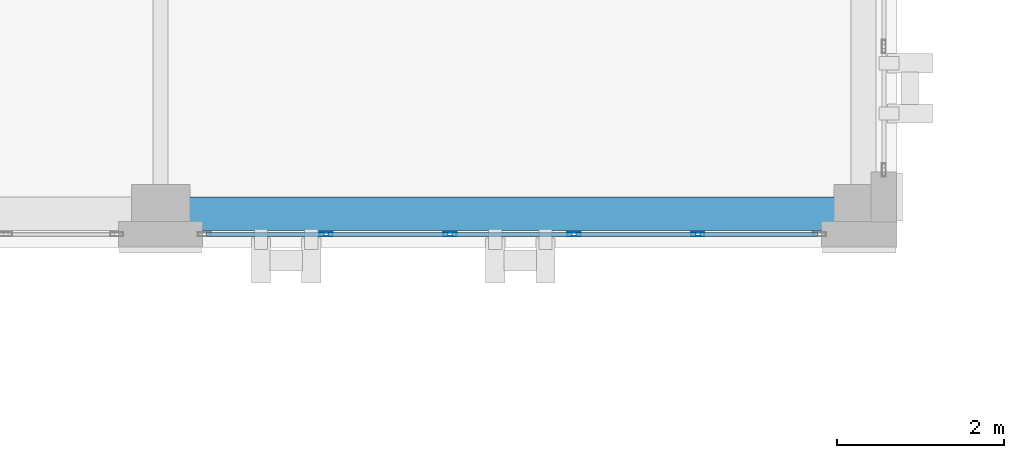
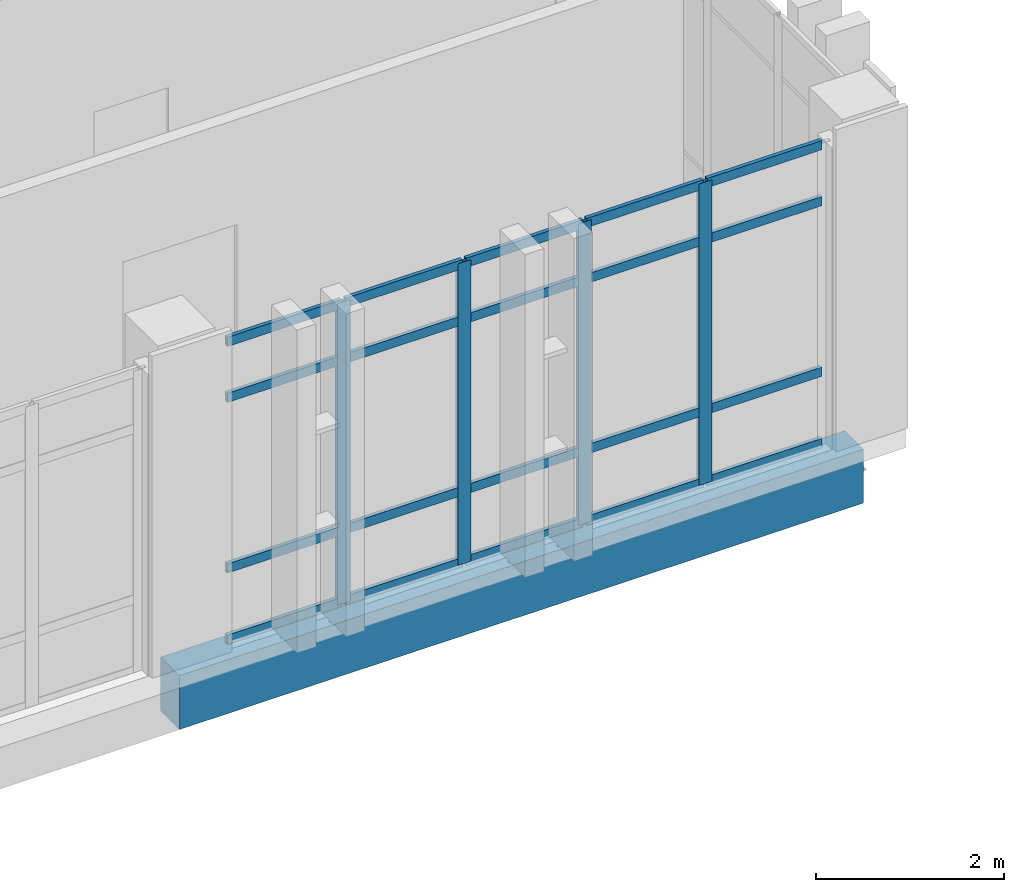
# One storey, part 88 of 193: 24 members, 1 beam, 1 element without a shape of its own.
"""IFC4 building model written with IfcOpenShell, lengths in metres."""

from ifc_helpers import new_model, si_unit, direction, frame, origin, origin_2d, place, context, subcontext, project, spatial, rectangle, hollow_rectangle, extrude, material, layer, layer_set, material_profile, profile_set, type_object, element, aggregate, save


model = new_model("IFC4")

# Units and contexts
model_context = context("Model", 3, precision=1e-05, world=origin(), true_north=direction((0.0, 1.0)))
body_context = subcontext(model_context, "Body", "Model", "MODEL_VIEW")
ifc_project = project(units=[si_unit("LENGTHUNIT", "METRE"), si_unit("AREAUNIT", "SQUARE_METRE"), si_unit("VOLUMEUNIT", "CUBIC_METRE"), si_unit("PLANEANGLEUNIT", "RADIAN"), si_unit("MASSUNIT", "GRAM", prefix="KILO")], contexts=[model_context])

# Site, building, storey
site_placement = place(None, origin())
site = spatial("IfcSite", under=ifc_project, at=site_placement, CompositionType="ELEMENT")
building_placement = place(site_placement, origin())
building = spatial("IfcBuilding", under=site, at=building_placement, Name="Qalavern Law Courts", CompositionType="ELEMENT")
storey_placement = place(building_placement, frame((0.0, 0.0, 10.199951171875)))
storey = spatial("IfcBuildingStorey", under=building, at=storey_placement, Name="L02", CompositionType="ELEMENT", Elevation=10.199951171875)

# Curtain wall, members
ifc_material_1 = material(Name="Anodised aluminium and insulated glazing", Category="aluminium")
ifc_layer = layer(ifc_material_1, 0.166015625)
ifc_layer_set = layer_set([ifc_layer], Name="Anodised aluminium and insulated glazing")
curtain_wall_type = type_object("IfcCurtainWallType", Name="ENV-CW-LIB", PredefinedType="USERDEFINED", material=ifc_layer_set)
curtain_wall_placement = place(storey_placement, origin())
curtain_wall = element("IfcCurtainWall", 1, at=curtain_wall_placement, inside=storey, type_object=curtain_wall_type, Name="V5 unitised curtain wall L02 south 6", ObjectType="UNITISED CURTAIN WALL", PredefinedType="USERDEFINED")
ifc_material_2 = material(Name="Anodised aluminium", Category="aluminium")
ifc_material_profile_1 = material_profile(ifc_material_2, hollow_rectangle(XDim=0.048095703125, YDim=0.159912109375, WallThickness=0.00390625, at=origin_2d()), Name="ALU MULLION 48x160")
ifc_profile_set_1 = profile_set([ifc_material_profile_1], Name="Anodised aluminium")
member_type_1 = type_object("IfcMemberType", Name="ENV-CWM-48x160", PredefinedType="MULLION", material=ifc_profile_set_1)
member_1_placement = place(storey_placement, frame((59.97998046875, 96.35498046875, 0.0), z_axis=(0.0, 0.0, 1.0), x_axis=(0.0, 1.0, 0.0)))
member_1 = element("IfcMember", 2, at=member_1_placement, type_object=member_type_1, Name="CW-05 mullion 2", PredefinedType="MULLION", context=body_context, shape_type="SweptSolid", body=[
    extrude(hollow_rectangle(XDim=0.048095703125, YDim=0.159912109375, WallThickness=0.00390625, at=origin_2d()), origin(), (0.0, 0.0, 1.0), 3.9150390625),
])
member_2_placement = place(storey_placement, frame((61.4599609375, 96.35498046875, 0.0), z_axis=(0.0, 0.0, 1.0), x_axis=(0.0, 1.0, 0.0)))
member_2 = element("IfcMember", 3, at=member_2_placement, type_object=member_type_1, Name="CW-05 mullion 3", PredefinedType="MULLION", context=body_context, shape_type="SweptSolid", body=[
    extrude(hollow_rectangle(XDim=0.048095703125, YDim=0.159912109375, WallThickness=0.00390625, at=origin_2d()), origin(), (0.0, 0.0, 1.0), 3.9150390625),
])
member_3_placement = place(storey_placement, frame((62.93994140625, 96.35498046875, 0.0), z_axis=(0.0, 0.0, 1.0), x_axis=(0.0, 1.0, 0.0)))
member_3 = element("IfcMember", 4, at=member_3_placement, type_object=member_type_1, Name="CW-05 mullion 4", PredefinedType="MULLION", context=body_context, shape_type="SweptSolid", body=[
    extrude(hollow_rectangle(XDim=0.048095703125, YDim=0.159912109375, WallThickness=0.00390625, at=origin_2d()), origin(), (0.0, 0.0, 1.0), 3.9150390625),
])
member_4_placement = place(storey_placement, frame((64.419921875, 96.35498046875, 0.0), z_axis=(0.0, 0.0, 1.0), x_axis=(0.0, 1.0, 0.0)))
member_4 = element("IfcMember", 5, at=member_4_placement, type_object=member_type_1, Name="CW-05 mullion 5", PredefinedType="MULLION", context=body_context, shape_type="SweptSolid", body=[
    extrude(hollow_rectangle(XDim=0.048095703125, YDim=0.159912109375, WallThickness=0.00390625, at=origin_2d()), origin(), (0.0, 0.0, 1.0), 3.9150390625),
])
ifc_material_profile_2 = material_profile(ifc_material_2, hollow_rectangle(XDim=0.048095703125, YDim=0.1201171875, WallThickness=0.00390625, at=origin_2d()), Name="ALU TRANSOM 48x120")
ifc_profile_set_2 = profile_set([ifc_material_profile_2], Name="Anodised aluminium")
member_type_2 = type_object("IfcMemberType", Name="ENV-CWT-48x120", PredefinedType="USERDEFINED", material=ifc_profile_set_2)
member_5_placement = place(storey_placement, frame((58.548095703125, 96.35498046875, 0.024169921875), z_axis=(1.0, 0.0, 0.0), x_axis=(0.0, 1.0, 0.0)))
member_5 = element("IfcMember", 6, at=member_5_placement, type_object=member_type_2, Name="CW-05 transom 1.1", ObjectType="TRANSOM", PredefinedType="USERDEFINED", context=body_context, shape_type="SweptSolid", body=[
    extrude(hollow_rectangle(XDim=0.048095703125, YDim=0.1201171875, WallThickness=0.00390625, at=origin_2d()), origin(), (0.0, 0.0, 1.0), 1.407958984375),
])
member_6_placement = place(storey_placement, frame((58.548095703125, 96.35498046875, 0.949951171875), z_axis=(1.0, 0.0, 0.0), x_axis=(0.0, 1.0, 0.0)))
member_6 = element("IfcMember", 7, at=member_6_placement, type_object=member_type_2, Name="CW-05 transom 1.2", ObjectType="TRANSOM", PredefinedType="USERDEFINED", context=body_context, shape_type="SweptSolid", body=[
    extrude(hollow_rectangle(XDim=0.048095703125, YDim=0.1201171875, WallThickness=0.00390625, at=origin_2d()), origin(), (0.0, 0.0, 1.0), 1.407958984375),
])
member_7_placement = place(storey_placement, frame((58.548095703125, 96.35498046875, 3.1650390625), z_axis=(1.0, 0.0, 0.0), x_axis=(0.0, 1.0, 0.0)))
member_7 = element("IfcMember", 8, at=member_7_placement, type_object=member_type_2, Name="CW-05 transom 1.3", ObjectType="TRANSOM", PredefinedType="USERDEFINED", context=body_context, shape_type="SweptSolid", body=[
    extrude(hollow_rectangle(XDim=0.048095703125, YDim=0.1201171875, WallThickness=0.00390625, at=origin_2d()), origin(), (0.0, 0.0, 1.0), 1.407958984375),
])
member_8_placement = place(storey_placement, frame((58.548095703125, 96.35498046875, 3.89111328125), z_axis=(1.0, 0.0, 0.0), x_axis=(0.0, 1.0, 0.0)))
member_8 = element("IfcMember", 9, at=member_8_placement, type_object=member_type_2, Name="CW-05 transom 1.4", ObjectType="TRANSOM", PredefinedType="USERDEFINED", context=body_context, shape_type="SweptSolid", body=[
    extrude(hollow_rectangle(XDim=0.048095703125, YDim=0.1201171875, WallThickness=0.00390625, at=origin_2d()), origin(), (0.0, 0.0, 1.0), 1.407958984375),
])
member_9_placement = place(storey_placement, frame((60.00390625, 96.35498046875, 0.024169921875), z_axis=(1.0, 0.0, 0.0), x_axis=(0.0, 1.0, 0.0)))
member_9 = element("IfcMember", 10, at=member_9_placement, type_object=member_type_2, Name="CW-05 transom 2.1", ObjectType="TRANSOM", PredefinedType="USERDEFINED", context=body_context, shape_type="SweptSolid", body=[
    extrude(hollow_rectangle(XDim=0.048095703125, YDim=0.1201171875, WallThickness=0.00390625, at=origin_2d()), origin(), (0.0, 0.0, 1.0), 1.43212890625),
])
member_10_placement = place(storey_placement, frame((60.00390625, 96.35498046875, 0.949951171875), z_axis=(1.0, 0.0, 0.0), x_axis=(0.0, 1.0, 0.0)))
member_10 = element("IfcMember", 11, at=member_10_placement, type_object=member_type_2, Name="CW-05 transom 2.2", ObjectType="TRANSOM", PredefinedType="USERDEFINED", context=body_context, shape_type="SweptSolid", body=[
    extrude(hollow_rectangle(XDim=0.048095703125, YDim=0.1201171875, WallThickness=0.00390625, at=origin_2d()), origin(), (0.0, 0.0, 1.0), 1.43212890625),
])
member_11_placement = place(storey_placement, frame((60.00390625, 96.35498046875, 3.1650390625), z_axis=(1.0, 0.0, 0.0), x_axis=(0.0, 1.0, 0.0)))
member_11 = element("IfcMember", 12, at=member_11_placement, type_object=member_type_2, Name="CW-05 transom 2.3", ObjectType="TRANSOM", PredefinedType="USERDEFINED", context=body_context, shape_type="SweptSolid", body=[
    extrude(hollow_rectangle(XDim=0.048095703125, YDim=0.1201171875, WallThickness=0.00390625, at=origin_2d()), origin(), (0.0, 0.0, 1.0), 1.43212890625),
])
member_12_placement = place(storey_placement, frame((60.00390625, 96.35498046875, 3.89111328125), z_axis=(1.0, 0.0, 0.0), x_axis=(0.0, 1.0, 0.0)))
member_12 = element("IfcMember", 13, at=member_12_placement, type_object=member_type_2, Name="CW-05 transom 2.4", ObjectType="TRANSOM", PredefinedType="USERDEFINED", context=body_context, shape_type="SweptSolid", body=[
    extrude(hollow_rectangle(XDim=0.048095703125, YDim=0.1201171875, WallThickness=0.00390625, at=origin_2d()), origin(), (0.0, 0.0, 1.0), 1.43212890625),
])
member_13_placement = place(storey_placement, frame((61.48388671875, 96.35498046875, 0.024169921875), z_axis=(1.0, 0.0, 0.0), x_axis=(0.0, 1.0, 0.0)))
member_13 = element("IfcMember", 14, at=member_13_placement, type_object=member_type_2, Name="CW-05 transom 3.1", ObjectType="TRANSOM", PredefinedType="USERDEFINED", context=body_context, shape_type="SweptSolid", body=[
    extrude(hollow_rectangle(XDim=0.048095703125, YDim=0.1201171875, WallThickness=0.00390625, at=origin_2d()), origin(), (0.0, 0.0, 1.0), 1.43212890625),
])
member_14_placement = place(storey_placement, frame((61.48388671875, 96.35498046875, 0.949951171875), z_axis=(1.0, 0.0, 0.0), x_axis=(0.0, 1.0, 0.0)))
member_14 = element("IfcMember", 15, at=member_14_placement, type_object=member_type_2, Name="CW-05 transom 3.2", ObjectType="TRANSOM", PredefinedType="USERDEFINED", context=body_context, shape_type="SweptSolid", body=[
    extrude(hollow_rectangle(XDim=0.048095703125, YDim=0.1201171875, WallThickness=0.00390625, at=origin_2d()), origin(), (0.0, 0.0, 1.0), 1.43212890625),
])
member_15_placement = place(storey_placement, frame((61.48388671875, 96.35498046875, 3.1650390625), z_axis=(1.0, 0.0, 0.0), x_axis=(0.0, 1.0, 0.0)))
member_15 = element("IfcMember", 16, at=member_15_placement, type_object=member_type_2, Name="CW-05 transom 3.3", ObjectType="TRANSOM", PredefinedType="USERDEFINED", context=body_context, shape_type="SweptSolid", body=[
    extrude(hollow_rectangle(XDim=0.048095703125, YDim=0.1201171875, WallThickness=0.00390625, at=origin_2d()), origin(), (0.0, 0.0, 1.0), 1.43212890625),
])
member_16_placement = place(storey_placement, frame((61.48388671875, 96.35498046875, 3.89111328125), z_axis=(1.0, 0.0, 0.0), x_axis=(0.0, 1.0, 0.0)))
member_16 = element("IfcMember", 17, at=member_16_placement, type_object=member_type_2, Name="CW-05 transom 3.4", ObjectType="TRANSOM", PredefinedType="USERDEFINED", context=body_context, shape_type="SweptSolid", body=[
    extrude(hollow_rectangle(XDim=0.048095703125, YDim=0.1201171875, WallThickness=0.00390625, at=origin_2d()), origin(), (0.0, 0.0, 1.0), 1.43212890625),
])
member_17_placement = place(storey_placement, frame((62.964111328125, 96.35498046875, 0.024169921875), z_axis=(1.0, 0.0, 0.0), x_axis=(0.0, 1.0, 0.0)))
member_17 = element("IfcMember", 18, at=member_17_placement, type_object=member_type_2, Name="CW-05 transom 4.1", ObjectType="TRANSOM", PredefinedType="USERDEFINED", context=body_context, shape_type="SweptSolid", body=[
    extrude(hollow_rectangle(XDim=0.048095703125, YDim=0.1201171875, WallThickness=0.00390625, at=origin_2d()), origin(), (0.0, 0.0, 1.0), 1.431884765625),
])
member_18_placement = place(storey_placement, frame((62.964111328125, 96.35498046875, 0.949951171875), z_axis=(1.0, 0.0, 0.0), x_axis=(0.0, 1.0, 0.0)))
member_18 = element("IfcMember", 19, at=member_18_placement, type_object=member_type_2, Name="CW-05 transom 4.2", ObjectType="TRANSOM", PredefinedType="USERDEFINED", context=body_context, shape_type="SweptSolid", body=[
    extrude(hollow_rectangle(XDim=0.048095703125, YDim=0.1201171875, WallThickness=0.00390625, at=origin_2d()), origin(), (0.0, 0.0, 1.0), 1.431884765625),
])
member_19_placement = place(storey_placement, frame((62.964111328125, 96.35498046875, 3.1650390625), z_axis=(1.0, 0.0, 0.0), x_axis=(0.0, 1.0, 0.0)))
member_19 = element("IfcMember", 20, at=member_19_placement, type_object=member_type_2, Name="CW-05 transom 4.3", ObjectType="TRANSOM", PredefinedType="USERDEFINED", context=body_context, shape_type="SweptSolid", body=[
    extrude(hollow_rectangle(XDim=0.048095703125, YDim=0.1201171875, WallThickness=0.00390625, at=origin_2d()), origin(), (0.0, 0.0, 1.0), 1.431884765625),
])
member_20_placement = place(storey_placement, frame((62.964111328125, 96.35498046875, 3.89111328125), z_axis=(1.0, 0.0, 0.0), x_axis=(0.0, 1.0, 0.0)))
member_20 = element("IfcMember", 21, at=member_20_placement, type_object=member_type_2, Name="CW-05 transom 4.4", ObjectType="TRANSOM", PredefinedType="USERDEFINED", context=body_context, shape_type="SweptSolid", body=[
    extrude(hollow_rectangle(XDim=0.048095703125, YDim=0.1201171875, WallThickness=0.00390625, at=origin_2d()), origin(), (0.0, 0.0, 1.0), 1.431884765625),
])
member_21_placement = place(storey_placement, frame((64.444091796875, 96.35498046875, 0.024169921875), z_axis=(1.0, 0.0, 0.0), x_axis=(0.0, 1.0, 0.0)))
member_21 = element("IfcMember", 22, at=member_21_placement, type_object=member_type_2, Name="CW-05 transom 5.1", ObjectType="TRANSOM", PredefinedType="USERDEFINED", context=body_context, shape_type="SweptSolid", body=[
    extrude(hollow_rectangle(XDim=0.048095703125, YDim=0.1201171875, WallThickness=0.00390625, at=origin_2d()), origin(), (0.0, 0.0, 1.0), 1.407958984375),
])
member_22_placement = place(storey_placement, frame((64.444091796875, 96.35498046875, 0.949951171875), z_axis=(1.0, 0.0, 0.0), x_axis=(0.0, 1.0, 0.0)))
member_22 = element("IfcMember", 23, at=member_22_placement, type_object=member_type_2, Name="CW-05 transom 5.2", ObjectType="TRANSOM", PredefinedType="USERDEFINED", context=body_context, shape_type="SweptSolid", body=[
    extrude(hollow_rectangle(XDim=0.048095703125, YDim=0.1201171875, WallThickness=0.00390625, at=origin_2d()), origin(), (0.0, 0.0, 1.0), 1.407958984375),
])
member_23_placement = place(storey_placement, frame((64.444091796875, 96.35498046875, 3.1650390625), z_axis=(1.0, 0.0, 0.0), x_axis=(0.0, 1.0, 0.0)))
member_23 = element("IfcMember", 24, at=member_23_placement, type_object=member_type_2, Name="CW-05 transom 5.3", ObjectType="TRANSOM", PredefinedType="USERDEFINED", context=body_context, shape_type="SweptSolid", body=[
    extrude(hollow_rectangle(XDim=0.048095703125, YDim=0.1201171875, WallThickness=0.00390625, at=origin_2d()), origin(), (0.0, 0.0, 1.0), 1.407958984375),
])
member_24_placement = place(storey_placement, frame((64.444091796875, 96.35498046875, 3.89111328125), z_axis=(1.0, 0.0, 0.0), x_axis=(0.0, 1.0, 0.0)))
member_24 = element("IfcMember", 25, at=member_24_placement, type_object=member_type_2, Name="CW-05 transom 5.4", ObjectType="TRANSOM", PredefinedType="USERDEFINED", context=body_context, shape_type="SweptSolid", body=[
    extrude(hollow_rectangle(XDim=0.048095703125, YDim=0.1201171875, WallThickness=0.00390625, at=origin_2d()), origin(), (0.0, 0.0, 1.0), 1.407958984375),
])
aggregate(curtain_wall, [member_1, member_2, member_3, member_4, member_5, member_6, member_7, member_8, member_9, member_10, member_11, member_12, member_13, member_14, member_15, member_16, member_17, member_18, member_19, member_20, member_21, member_22, member_23, member_24])

# Beam
ifc_material_3 = material(Name="Concrete C40/50", Category="concrete")
ifc_material_profile_3 = material_profile(ifc_material_3, rectangle(XDim=0.39990234375, YDim=0.699951171875, at=origin_2d()), Name="RC 400x700")
ifc_profile_set_3 = profile_set([ifc_material_profile_3], Name="Concrete C40/50")
beam_type = type_object("IfcBeamType", Name="STR-SP-RC400x700", PredefinedType="SPANDREL", material=ifc_profile_set_3)
beam_placement = place(storey_placement, frame((58.0, 96.60009765625, -0.639892578125), z_axis=(1.0, 0.0, 0.0), x_axis=(0.0, 1.0, 0.0)))
element("IfcBeam", 26, at=beam_placement, inside=storey, type_object=beam_type, Name="V5 X-beam 1-8 L02", PredefinedType="SPANDREL", context=body_context, shape_type="SweptSolid", body=[
    extrude(rectangle(XDim=0.39990234375, YDim=0.699951171875, at=origin_2d()), origin(), (0.0, 0.0, 1.0), 8.39990234375),
])

save(model, "model.ifc")
